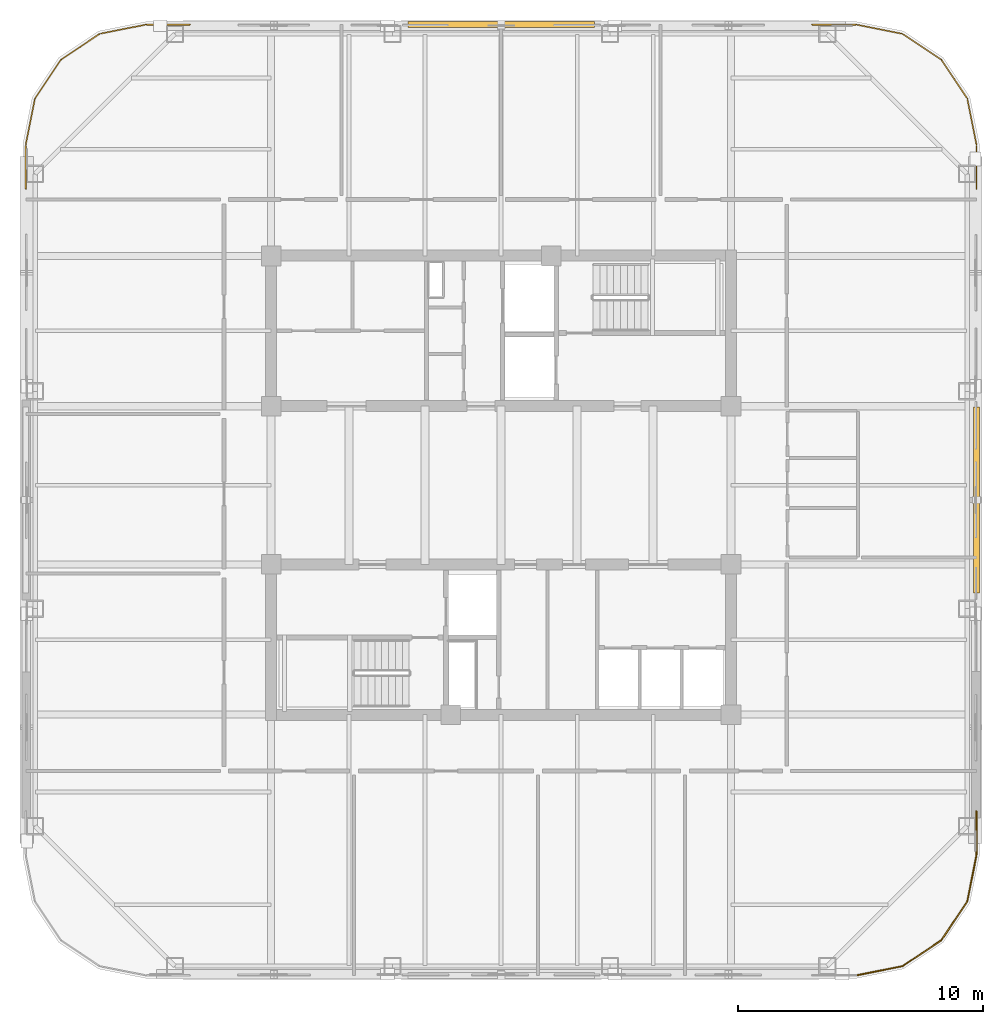
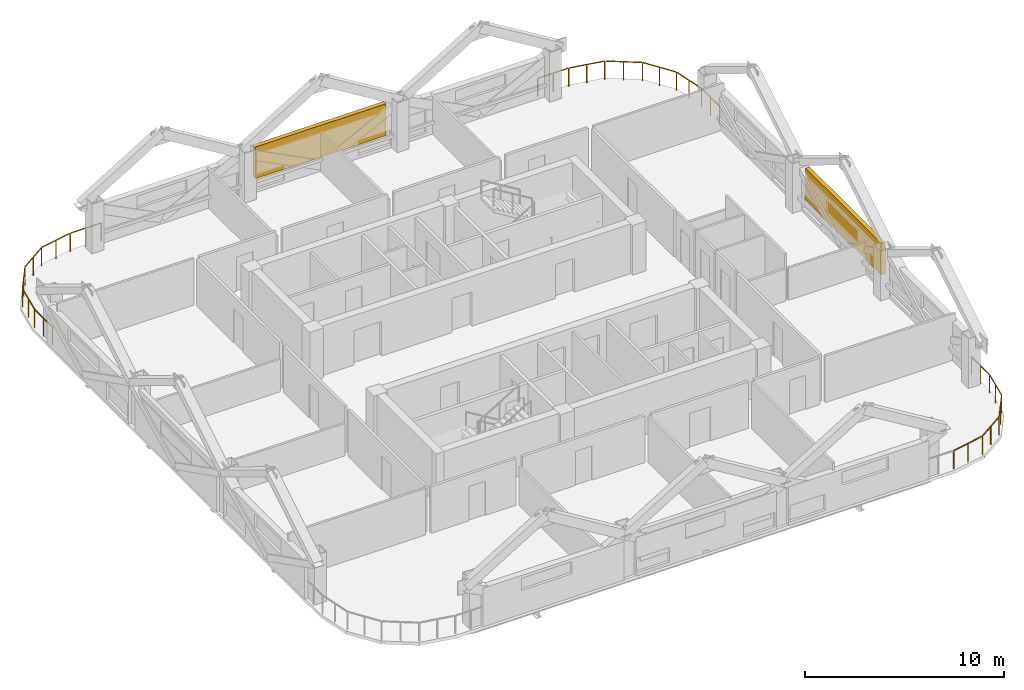
# One storey, part 9 of 9: 3 railings, 2 shading devices.
"""IFC4 building model written with IfcOpenShell, lengths in metres."""

import ifcopenshell
import ifcopenshell.guid

model = None  # the IFC model being written
_history = None  # IfcOwnerHistory: only IFC2X3 demands one
_inside = {}  # id of a spatial element -> (the spatial element, [elements in it])
_under = {}  # id of a project, library or spatial element -> (it, [spatial elements below it])
_declared = {}  # id of a project -> (the project, [libraries it declares])
_typed = {}  # id of a type object -> (the type object, [elements of that type])
_made_of = {}  # id of a material, layer set ... -> (it, [elements and type objects made of it])


def new_model(schema):
    """Start an empty IFC model of exactly this schema.

    Asked for "IFC4X3", IfcOpenShell would pick the latest addendum, in which some entities
    have other attributes; the version numbers below select the first issue.
    IFC2X3 requires an IfcOwnerHistory on every rooted entity: one is made here for all.
    """
    global model, _history
    if schema == "IFC4X3":
        model = ifcopenshell.file(schema_version=(4, 3, 0, 0))
    else:
        model = ifcopenshell.file(schema=schema)
    _inside.clear()
    _under.clear()
    _declared.clear()
    _typed.clear()
    _made_of.clear()
    _history = None
    if model.schema == "IFC2X3":
        org = make("IfcOrganization", Name="unknown")
        user = make(
            "IfcPersonAndOrganization",
            ThePerson=make("IfcPerson", FamilyName="unknown"),
            TheOrganization=org,
        )
        app = make(
            "IfcApplication",
            ApplicationDeveloper=org,
            Version="unknown",
            ApplicationFullName="unknown",
            ApplicationIdentifier="unknown",
        )
        _history = make(
            "IfcOwnerHistory",
            OwningUser=user,
            OwningApplication=app,
            ChangeAction="ADDED",
            CreationDate=0,
        )
    return model


def make(cls, **values):
    """One entity of the class cls with the attributes given. An attribute that is None is left unset."""
    return model.create_entity(
        cls, **{name: value for name, value in values.items() if value is not None}
    )


def rooted(cls, **values):
    """An entity with a GlobalId (a new one), such as an element, a storey or a relation."""
    return make(cls, GlobalId=ifcopenshell.guid.new(), OwnerHistory=_history, **values)


def si_unit(unit_type, name, prefix=None):
    """IfcSIUnit, for example si_unit("LENGTHUNIT", "METRE", prefix="MILLI")."""
    return make("IfcSIUnit", UnitType=unit_type, Prefix=prefix, Name=name)


def assignment(units):
    """IfcUnitAssignment: the units of a project."""
    return None if units is None else make("IfcUnitAssignment", Units=units)


def point(xyz):
    """IfcCartesianPoint."""
    return None if xyz is None else make("IfcCartesianPoint", Coordinates=xyz)


def direction(xyz):
    """IfcDirection."""
    return None if xyz is None else make("IfcDirection", DirectionRatios=xyz)


def frame(location, z_axis=None, x_axis=None):
    """IfcAxis2Placement3D, a coordinate frame: its origin and axes. An axis left out is left unset."""
    return make(
        "IfcAxis2Placement3D",
        Location=point(location),
        Axis=direction(z_axis),
        RefDirection=direction(x_axis),
    )


def frame_2d(location, x_axis=None):
    """IfcAxis2Placement2D, a coordinate frame in the plane: its origin and x axis."""
    return make(
        "IfcAxis2Placement2D", Location=point(location), RefDirection=direction(x_axis)
    )


def origin():
    """The frame at (0, 0, 0) with its axes left unset."""
    return frame((0.0, 0.0, 0.0))


def origin_2d():
    """The frame at (0, 0) in the plane with its x axis left unset."""
    return frame_2d((0.0, 0.0))


def place(relative_to, where):
    """IfcLocalPlacement: puts the frame where relative to a parent placement (None: the world)."""
    return make(
        "IfcLocalPlacement", PlacementRelTo=relative_to, RelativePlacement=where
    )


def context(
    kind, dimensions, precision=None, world=None, true_north=None, identifier=None
):
    """IfcGeometricRepresentationContext, for example the 3D "Model" context."""
    return make(
        "IfcGeometricRepresentationContext",
        ContextIdentifier=identifier,
        ContextType=kind,
        CoordinateSpaceDimension=dimensions,
        Precision=precision,
        WorldCoordinateSystem=world,
        TrueNorth=true_north,
    )


def subcontext(parent, identifier, kind, view, scale=None):
    """IfcGeometricRepresentationSubContext, for example "Body" below "Model"."""
    return make(
        "IfcGeometricRepresentationSubContext",
        ContextIdentifier=identifier,
        ContextType=kind,
        ParentContext=parent,
        TargetScale=scale,
        TargetView=view,
    )


def project(units=None, contexts=None):
    """IfcProject with its units and contexts."""
    return rooted(
        "IfcProject",
        Name="project",
        RepresentationContexts=contexts,
        UnitsInContext=assignment(units),
    )


def spatial(cls, under=None, at=None, **own):
    """A site, building, storey or space (cls), placed at a placement, below another one or the project."""
    s = rooted(cls, ObjectPlacement=at, **own)
    if under is not None:
        _under.setdefault(under.id(), (under, []))[1].append(s)
    return s


def profile(cls, at=None, kind="AREA", **sizes):
    """A parametric profile (cls). Its sizes go by their IFC names, for example OverallWidth=200.0."""
    return make(cls, ProfileType=kind, Position=at, **sizes)


def rectangle(**sizes):
    """IfcRectangleProfileDef."""
    return profile("IfcRectangleProfileDef", **sizes)


def extrude(swept, where, along, depth):
    """IfcExtrudedAreaSolid: the profile swept, set in the frame where, extruded along a direction by depth."""
    return make(
        "IfcExtrudedAreaSolid",
        SweptArea=swept,
        Position=where,
        ExtrudedDirection=direction(along),
        Depth=depth,
    )


def shape(context_of_items, identifier, shape_type, items):
    """IfcShapeRepresentation: the items that make up one representation, for example the "Body"."""
    return make(
        "IfcShapeRepresentation",
        ContextOfItems=context_of_items,
        RepresentationIdentifier=identifier,
        RepresentationType=shape_type,
        Items=items,
    )


def material(Name=None, Category=None):
    """IfcMaterial."""
    return make("IfcMaterial", Name=Name, Category=Category)


def made_of(thing, what):
    """Note that an element or type object is made of a material, layer set ...; save() writes the relation."""
    if what is not None:
        _made_of.setdefault(what.id(), (what, []))[1].append(thing)
    return thing


def type_object(cls, material=None, **own):
    """A type object (cls), such as IfcWallType, which elements share."""
    return made_of(rooted(cls, **own), material)


def element(
    cls,
    number,
    at=None,
    inside=None,
    cuts=None,
    type_object=None,
    material=None,
    context=None,
    identifier="Body",
    shape_type=None,
    held_by="IfcProductDefinitionShape",
    body=None,
    shapes=None,
    **own,
):
    """One element of the class cls, such as IfcWall. Its Tag is "e" and its number.

    at: its placement. inside: the storey or other place that contains it. cuts: it is an
    opening in that element (IfcRelVoidsElement). A single representation is given by context,
    identifier, shape_type and body (its items); several are given by shapes. held_by: the class
    of the entity that holds the representations. save() writes the other relations.
    """
    e = rooted(cls, Tag="e%d" % number, ObjectPlacement=at, **own)
    if body is not None:
        shapes = [shape(context, identifier, shape_type, body)]
    if shapes is not None:
        e.Representation = make(held_by, Representations=shapes)
    if inside is not None:
        _inside.setdefault(inside.id(), (inside, []))[1].append(e)
    if cuts is not None:
        rooted(
            "IfcRelVoidsElement", RelatingBuildingElement=cuts, RelatedOpeningElement=e
        )
    if type_object is not None:
        _typed.setdefault(type_object.id(), (type_object, []))[1].append(e)
    return made_of(e, material)


def aggregate(whole, parts):
    """IfcRelAggregates: a whole, such as a stair, and the parts it consists of."""
    return rooted("IfcRelAggregates", RelatingObject=whole, RelatedObjects=parts)


def save(model, path):
    """Write the relations noted so far, then the file.

    IfcRelAggregates (storeys below a building ...), IfcRelContainedInSpatialStructure (elements
    in a storey), IfcRelDefinesByType, IfcRelAssociatesMaterial and IfcRelDeclares: one each for
    every whole, place, type object, material and project.
    """
    for whole, parts in _under.values():
        aggregate(whole, parts)
    for where, things in _inside.values():
        rooted(
            "IfcRelContainedInSpatialStructure",
            RelatedElements=things,
            RelatingStructure=where,
        )
    for kind, things in _typed.values():
        rooted("IfcRelDefinesByType", RelatedObjects=things, RelatingType=kind)
    for what, things in _made_of.values():
        rooted("IfcRelAssociatesMaterial", RelatedObjects=things, RelatingMaterial=what)
    for by, libraries in _declared.values():
        rooted("IfcRelDeclares", RelatingContext=by, RelatedDefinitions=libraries)
    model.write(path)


model = new_model("IFC4")

# Units and contexts
model_context = context("Model", 3, precision=1e-05, world=origin(), true_north=direction((0.0, 1.0)))
body_context = subcontext(model_context, "Body", "Model", "MODEL_VIEW")
ifc_project = project(units=[si_unit("LENGTHUNIT", "METRE"), si_unit("AREAUNIT", "SQUARE_METRE"), si_unit("VOLUMEUNIT", "CUBIC_METRE"), si_unit("PLANEANGLEUNIT", "RADIAN"), si_unit("MASSUNIT", "GRAM", prefix="KILO")], contexts=[model_context])

# Site, building, storey
site_placement = place(None, origin())
site = spatial("IfcSite", under=ifc_project, at=site_placement, CompositionType="ELEMENT")
building_placement = place(site_placement, origin())
building = spatial("IfcBuilding", under=site, at=building_placement, Name="Qhalaya Broadcast Tower", CompositionType="ELEMENT")
storey_placement = place(building_placement, frame((0.0, 0.0, 217.800048828125)))
storey = spatial("IfcBuildingStorey", under=building, at=storey_placement, Name="L64", CompositionType="ELEMENT", Elevation=217.800048828125)

# Railings
ifc_material_1 = material(Name="Powder-Coated Galvanised Steel", Category="steel")
railing_type = type_object("IfcRailingType", Name="Terrace, Sky-Pool & Lookout Glass Balustrade 1150", PredefinedType="BALUSTRADE", material=ifc_material_1)
railing_1_placement = place(storey_placement, frame((-19.3798828125, 12.681884765625, 0.0)))
element("IfcRailing", 1, at=railing_1_placement, inside=storey, type_object=railing_type, Name="L64 Rounded Corner Perimeter Guard 03", PredefinedType="BALUSTRADE", context=body_context, shape_type="SweptSolid", body=[
    extrude(rectangle(XDim=0.048095703125, YDim=0.048095703125, at=origin_2d()), frame((0.0, 0.0, 1.1259765625), z_axis=(0.0, 1.0, 0.0), x_axis=(-1.0, 0.0, 0.0)), (0.0, 0.0, 1.0), 1.777587890625),
    extrude(rectangle(XDim=0.048095703125, YDim=0.048095703125, at=origin_2d()), frame((0.005615234375, 1.834716796875, 1.1259765625), z_axis=(0.195037378397, 0.980795810058, 0.0), x_axis=(-0.980795810058, 0.195037378397, 0.0)), (0.0, 0.0, 1.0), 1.857421875),
    extrude(rectangle(XDim=0.048095703125, YDim=0.048095703125, at=origin_2d()), frame((0.3896484375, 3.708740234375, 1.1259765625), z_axis=(0.555617615188, 0.831437950597, 0.0), x_axis=(-0.831437950597, 0.555617615188, 0.0)), (0.0, 0.0, 1.0), 1.845458984375),
    extrude(rectangle(XDim=0.048095703125, YDim=0.048095703125, at=origin_2d()), frame((1.454833984375, 5.283203125, 1.1259765625), z_axis=(0.831437950597, 0.555617615188, 0.0), x_axis=(-0.555617615188, 0.831437950597, 0.0)), (0.0, 0.0, 1.0), 1.845458984375),
    extrude(rectangle(XDim=0.048095703125, YDim=0.048095703125, at=origin_2d()), frame((3.04150390625, 6.330078125, 1.1259765625), z_axis=(0.980795810058, 0.195037378397, 0.0), x_axis=(-0.195037378397, 0.980795810058, 0.0)), (0.0, 0.0, 1.0), 1.857421875),
    extrude(rectangle(XDim=0.048095703125, YDim=0.048095703125, at=origin_2d()), frame((4.92041015625, 6.697998046875, 1.1259765625), z_axis=(1.0, 0.0, 0.0), x_axis=(0.0, 1.0, 0.0)), (0.0, 0.0, 1.0), 1.777587890625),
    extrude(rectangle(XDim=0.0419921875, YDim=0.0419921875, at=origin_2d()), origin(), (0.0, 0.0, 1.0), 1.099853515625),
    extrude(rectangle(XDim=0.0419921875, YDim=0.0419921875, at=origin_2d()), frame((0.0, 0.9033203125, 0.0)), (0.0, 0.0, 1.0), 1.099853515625),
    extrude(rectangle(XDim=0.0419921875, YDim=0.0419921875, at=origin_2d()), frame((0.0, 1.806396484375, 0.0)), (0.0, 0.0, 1.0), 1.099853515625),
    extrude(rectangle(XDim=0.0419921875, YDim=0.0419921875, at=origin_2d()), frame((0.186767578125, 2.74560546875, 0.0)), (0.0, 0.0, 1.0), 1.099853515625),
    extrude(rectangle(XDim=0.0419921875, YDim=0.0419921875, at=origin_2d()), frame((0.37353515625, 3.684814453125, 0.0)), (0.0, 0.0, 1.0), 1.099853515625),
    extrude(rectangle(XDim=0.0419921875, YDim=0.0419921875, at=origin_2d()), frame((0.90234375, 4.47607421875, 0.0)), (0.0, 0.0, 1.0), 1.099853515625),
    extrude(rectangle(XDim=0.0419921875, YDim=0.0419921875, at=origin_2d()), frame((1.430908203125, 5.26708984375, 0.0)), (0.0, 0.0, 1.0), 1.099853515625),
    extrude(rectangle(XDim=0.0419921875, YDim=0.0419921875, at=origin_2d()), frame((2.22216796875, 5.7958984375, 0.0)), (0.0, 0.0, 1.0), 1.099853515625),
    extrude(rectangle(XDim=0.0419921875, YDim=0.0419921875, at=origin_2d()), frame((3.01318359375, 6.324462890625, 0.0)), (0.0, 0.0, 1.0), 1.099853515625),
    extrude(rectangle(XDim=0.0419921875, YDim=0.0419921875, at=origin_2d()), frame((3.952392578125, 6.51123046875, 0.0)), (0.0, 0.0, 1.0), 1.099853515625),
    extrude(rectangle(XDim=0.0419921875, YDim=0.0419921875, at=origin_2d()), frame((4.8916015625, 6.697998046875, 0.0)), (0.0, 0.0, 1.0), 1.099853515625),
    extrude(rectangle(XDim=0.0419921875, YDim=0.0419921875, at=origin_2d()), frame((5.794921875, 6.697998046875, 0.0)), (0.0, 0.0, 1.0), 1.099853515625),
    extrude(rectangle(XDim=0.0419921875, YDim=0.0419921875, at=origin_2d()), frame((6.697998046875, 6.697998046875, 0.0)), (0.0, 0.0, 1.0), 1.099853515625),
])
railing_2_placement = place(storey_placement, frame((12.681884765625, 19.3798828125, 0.0)))
element("IfcRailing", 2, at=railing_2_placement, inside=storey, type_object=railing_type, Name="L64 Rounded Corner Perimeter Guard 04", PredefinedType="BALUSTRADE", context=body_context, shape_type="SweptSolid", body=[
    extrude(rectangle(XDim=0.048095703125, YDim=0.048095703125, at=origin_2d()), frame((0.0, 0.0, 1.1259765625), z_axis=(1.0, 0.0, 0.0), x_axis=(0.0, 1.0, 0.0)), (0.0, 0.0, 1.0), 1.777587890625),
    extrude(rectangle(XDim=0.048095703125, YDim=0.048095703125, at=origin_2d()), frame((1.834716796875, -0.005615234375, 1.1259765625), z_axis=(0.980795810058, -0.195037378397, 0.0), x_axis=(0.195037378397, 0.980795810058, 0.0)), (0.0, 0.0, 1.0), 1.857421875),
    extrude(rectangle(XDim=0.048095703125, YDim=0.048095703125, at=origin_2d()), frame((3.708740234375, -0.3896484375, 1.1259765625), z_axis=(0.831437950597, -0.555617615188, 0.0), x_axis=(0.555617615188, 0.831437950597, 0.0)), (0.0, 0.0, 1.0), 1.845458984375),
    extrude(rectangle(XDim=0.048095703125, YDim=0.048095703125, at=origin_2d()), frame((5.283203125, -1.454833984375, 1.1259765625), z_axis=(0.555617615188, -0.831437950597, 0.0), x_axis=(0.831437950597, 0.555617615188, 0.0)), (0.0, 0.0, 1.0), 1.845458984375),
    extrude(rectangle(XDim=0.048095703125, YDim=0.048095703125, at=origin_2d()), frame((6.330078125, -3.04150390625, 1.1259765625), z_axis=(0.195037378397, -0.980795810058, 0.0), x_axis=(0.980795810058, 0.195037378397, 0.0)), (0.0, 0.0, 1.0), 1.857421875),
    extrude(rectangle(XDim=0.048095703125, YDim=0.048095703125, at=origin_2d()), frame((6.697998046875, -4.92041015625, 1.1259765625), z_axis=(0.0, -1.0, 0.0), x_axis=(1.0, 0.0, 0.0)), (0.0, 0.0, 1.0), 1.777587890625),
    extrude(rectangle(XDim=0.0419921875, YDim=0.0419921875, at=origin_2d()), origin(), (0.0, 0.0, 1.0), 1.099853515625),
    extrude(rectangle(XDim=0.0419921875, YDim=0.0419921875, at=origin_2d()), frame((0.9033203125, 0.0, 0.0)), (0.0, 0.0, 1.0), 1.099853515625),
    extrude(rectangle(XDim=0.0419921875, YDim=0.0419921875, at=origin_2d()), frame((1.806396484375, 0.0, 0.0)), (0.0, 0.0, 1.0), 1.099853515625),
    extrude(rectangle(XDim=0.0419921875, YDim=0.0419921875, at=origin_2d()), frame((2.74560546875, -0.186767578125, 0.0)), (0.0, 0.0, 1.0), 1.099853515625),
    extrude(rectangle(XDim=0.0419921875, YDim=0.0419921875, at=origin_2d()), frame((3.684814453125, -0.37353515625, 0.0)), (0.0, 0.0, 1.0), 1.099853515625),
    extrude(rectangle(XDim=0.0419921875, YDim=0.0419921875, at=origin_2d()), frame((4.47607421875, -0.90234375, 0.0)), (0.0, 0.0, 1.0), 1.099853515625),
    extrude(rectangle(XDim=0.0419921875, YDim=0.0419921875, at=origin_2d()), frame((5.26708984375, -1.430908203125, 0.0)), (0.0, 0.0, 1.0), 1.099853515625),
    extrude(rectangle(XDim=0.0419921875, YDim=0.0419921875, at=origin_2d()), frame((5.7958984375, -2.22216796875, 0.0)), (0.0, 0.0, 1.0), 1.099853515625),
    extrude(rectangle(XDim=0.0419921875, YDim=0.0419921875, at=origin_2d()), frame((6.324462890625, -3.01318359375, 0.0)), (0.0, 0.0, 1.0), 1.099853515625),
    extrude(rectangle(XDim=0.0419921875, YDim=0.0419921875, at=origin_2d()), frame((6.51123046875, -3.952392578125, 0.0)), (0.0, 0.0, 1.0), 1.099853515625),
    extrude(rectangle(XDim=0.0419921875, YDim=0.0419921875, at=origin_2d()), frame((6.697998046875, -4.8916015625, 0.0)), (0.0, 0.0, 1.0), 1.099853515625),
    extrude(rectangle(XDim=0.0419921875, YDim=0.0419921875, at=origin_2d()), frame((6.697998046875, -5.794921875, 0.0)), (0.0, 0.0, 1.0), 1.099853515625),
    extrude(rectangle(XDim=0.0419921875, YDim=0.0419921875, at=origin_2d()), frame((6.697998046875, -6.697998046875, 0.0)), (0.0, 0.0, 1.0), 1.099853515625),
])
railing_3_placement = place(storey_placement, frame((19.3798828125, -12.681884765625, 0.0)))
element("IfcRailing", 3, at=railing_3_placement, inside=storey, type_object=railing_type, Name="L64 Rounded Corner Perimeter Guard 05", PredefinedType="BALUSTRADE", context=body_context, shape_type="SweptSolid", body=[
    extrude(rectangle(XDim=0.048095703125, YDim=0.048095703125, at=origin_2d()), frame((0.0, 0.0, 1.1259765625), z_axis=(0.0, -1.0, 0.0), x_axis=(1.0, 0.0, 0.0)), (0.0, 0.0, 1.0), 1.777587890625),
    extrude(rectangle(XDim=0.048095703125, YDim=0.048095703125, at=origin_2d()), frame((-0.005615234375, -1.834716796875, 1.1259765625), z_axis=(-0.195037378397, -0.980795810058, 0.0), x_axis=(0.980795810058, -0.195037378397, 0.0)), (0.0, 0.0, 1.0), 1.857421875),
    extrude(rectangle(XDim=0.048095703125, YDim=0.048095703125, at=origin_2d()), frame((-0.3896484375, -3.708740234375, 1.1259765625), z_axis=(-0.555617615188, -0.831437950597, 0.0), x_axis=(0.831437950597, -0.555617615188, 0.0)), (0.0, 0.0, 1.0), 1.845458984375),
    extrude(rectangle(XDim=0.048095703125, YDim=0.048095703125, at=origin_2d()), frame((-1.454833984375, -5.283203125, 1.1259765625), z_axis=(-0.831437950597, -0.555617615188, 0.0), x_axis=(0.555617615188, -0.831437950597, 0.0)), (0.0, 0.0, 1.0), 1.845458984375),
    extrude(rectangle(XDim=0.048095703125, YDim=0.048095703125, at=origin_2d()), frame((-3.04150390625, -6.330078125, 1.1259765625), z_axis=(-0.980795810058, -0.195037378397, 0.0), x_axis=(0.195037378397, -0.980795810058, 0.0)), (0.0, 0.0, 1.0), 1.88623046875),
    extrude(rectangle(XDim=0.0419921875, YDim=0.0419921875, at=origin_2d()), origin(), (0.0, 0.0, 1.0), 1.099853515625),
    extrude(rectangle(XDim=0.0419921875, YDim=0.0419921875, at=origin_2d()), frame((0.0, -0.9033203125, 0.0)), (0.0, 0.0, 1.0), 1.099853515625),
    extrude(rectangle(XDim=0.0419921875, YDim=0.0419921875, at=origin_2d()), frame((0.0, -1.806396484375, 0.0)), (0.0, 0.0, 1.0), 1.099853515625),
    extrude(rectangle(XDim=0.0419921875, YDim=0.0419921875, at=origin_2d()), frame((-0.186767578125, -2.74560546875, 0.0)), (0.0, 0.0, 1.0), 1.099853515625),
    extrude(rectangle(XDim=0.0419921875, YDim=0.0419921875, at=origin_2d()), frame((-0.37353515625, -3.684814453125, 0.0)), (0.0, 0.0, 1.0), 1.099853515625),
    extrude(rectangle(XDim=0.0419921875, YDim=0.0419921875, at=origin_2d()), frame((-0.90234375, -4.47607421875, 0.0)), (0.0, 0.0, 1.0), 1.099853515625),
    extrude(rectangle(XDim=0.0419921875, YDim=0.0419921875, at=origin_2d()), frame((-1.430908203125, -5.26708984375, 0.0)), (0.0, 0.0, 1.0), 1.099853515625),
    extrude(rectangle(XDim=0.0419921875, YDim=0.0419921875, at=origin_2d()), frame((-2.22216796875, -5.7958984375, 0.0)), (0.0, 0.0, 1.0), 1.099853515625),
    extrude(rectangle(XDim=0.0419921875, YDim=0.0419921875, at=origin_2d()), frame((-3.01318359375, -6.324462890625, 0.0)), (0.0, 0.0, 1.0), 1.099853515625),
    extrude(rectangle(XDim=0.0419921875, YDim=0.0419921875, at=origin_2d()), frame((-3.952392578125, -6.51123046875, 0.0)), (0.0, 0.0, 1.0), 1.099853515625),
    extrude(rectangle(XDim=0.0419921875, YDim=0.0419921875, at=origin_2d()), frame((-4.8916015625, -6.697998046875, 0.0)), (0.0, 0.0, 1.0), 1.099853515625),
])

# Shading devices
ifc_material_2 = material(Name="Fired Architectural Terracotta", Category="masonry")
shading_device_type = type_object("IfcShadingDeviceType", Name="Terracotta Baguette Solar Screen Assembly TBS-01", PredefinedType="USERDEFINED", material=ifc_material_2)
for number, where, z_axis, x_axis, name in (
    (4, (19.3798828125, 0.0, 0.80078125), (0.0, 0.0, 1.0), (0.0, 1.0, 0.0), "L64 Fired Terracotta Baguette Screen E"),
    (5, (0.0, 19.3798828125, 0.80078125), (0.0, 0.0, 1.0), (-1.0, 0.0, 0.0), "L64 Fired Terracotta Baguette Screen N"),
):
    element("IfcShadingDevice", number, at=place(storey_placement, frame(where, z_axis=z_axis, x_axis=x_axis)), inside=storey, type_object=shading_device_type, Name=name, ObjectType="BAGUETTE", PredefinedType="USERDEFINED", context=body_context, shape_type="SweptSolid", body=[
        extrude(rectangle(XDim=7.60009765625, YDim=0.239990234375, at=origin_2d()), origin(), (0.0, 0.0, 1.0), 1.945068359375),
    ])

save(model, "model.ifc")
